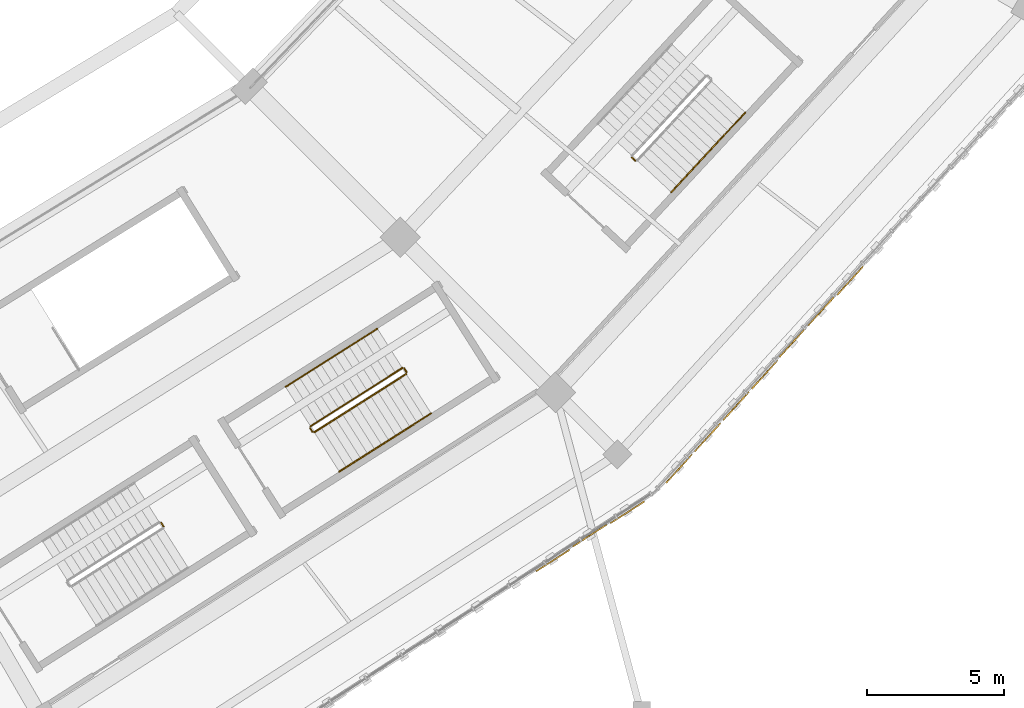
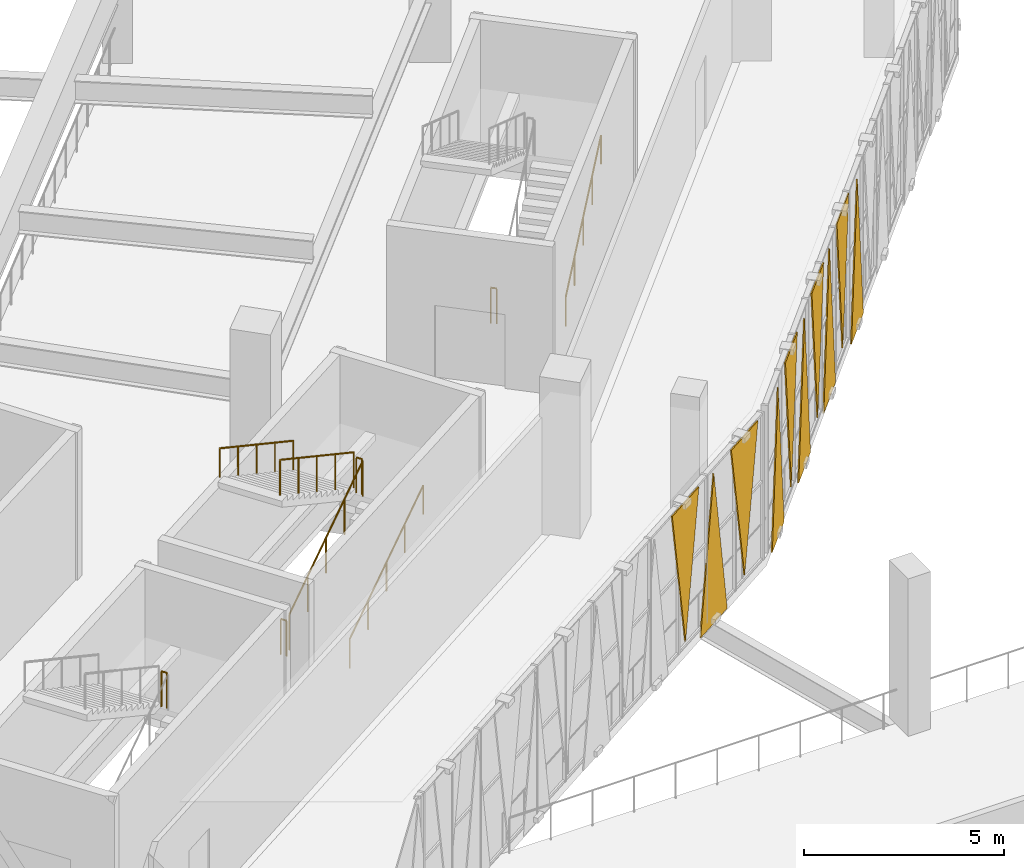
# One storey, part 146 of 179: 10 coverings, 9 railings.
"""IFC4 building model written with IfcOpenShell, lengths in metres."""

from ifc_helpers import new_model, si_unit, direction, frame, origin, origin_2d, place, context, subcontext, project, spatial, polyline, circle, outline, extrude, material, layer, layer_set, type_object, element, save


model = new_model("IFC4")

# Units and contexts
model_context = context("Model", 3, precision=1e-05, world=origin(), true_north=direction((0.0, 1.0)))
body_context = subcontext(model_context, "Body", "Model", "MODEL_VIEW")
ifc_project = project(units=[si_unit("LENGTHUNIT", "METRE"), si_unit("AREAUNIT", "SQUARE_METRE"), si_unit("VOLUMEUNIT", "CUBIC_METRE"), si_unit("PLANEANGLEUNIT", "RADIAN"), si_unit("MASSUNIT", "GRAM", prefix="KILO")], contexts=[model_context])

# Site, building, storey
site_placement = place(None, origin())
site = spatial("IfcSite", under=ifc_project, at=site_placement, CompositionType="ELEMENT")
building_placement = place(site_placement, origin())
building = spatial("IfcBuilding", under=site, at=building_placement, Name="Zevraka Park Crest Stadium", CompositionType="ELEMENT")
storey_placement = place(building_placement, frame((0.0, 0.0, 10.199951171875)))
storey = spatial("IfcBuildingStorey", under=building, at=storey_placement, Name="L02", CompositionType="ELEMENT", Elevation=10.199951171875)

# Coverings
ifc_material_1 = material(Name="Architectural golden-bronze perforated aluminium", Category="aluminium")
ifc_layer = layer(ifc_material_1, 0.034912109375)
ifc_layer_set = layer_set([ifc_layer], Name="Architectural golden-bronze perforated aluminium")
covering_type = type_object("IfcCoveringType", Name="CLD01", PredefinedType="CLADDING", material=ifc_layer_set)
covering_1_placement = place(storey_placement, frame((176.365966796875, 33.031982421875, 4.47998046875), z_axis=(-0.543285997868, 0.839547690294, 1.5567826e-05), x_axis=(-0.839547690396, -0.543285997934, 0.0)))
element("IfcCovering", 1, at=covering_1_placement, inside=storey, type_object=covering_type, Name="Triangular Golden-Bronze Perforated Cladding L02-20-12", PredefinedType="CLADDING", context=body_context, shape_type="SweptSolid", body=[
    extrude(outline(polyline([(0.0, 0.0), (1.457781335266565, 1.6940658945086007e-21), (0.7289931514822077, -4.260009766141223), (0.0, 0.0)])), origin(), (0.0, 0.0, -1.0), 0.034912109375),
])
covering_2_placement = place(storey_placement, frame((176.5009765625, 33.118896484375, -0.239990234375), z_axis=(0.543209619056, -0.839597111575, 0.0), x_axis=(0.839597111575, 0.543209619056, 0.0)))
element("IfcCovering", 2, at=covering_2_placement, inside=storey, type_object=covering_type, Name="Triangular Golden-Bronze Perforated Cladding L02-20-13", PredefinedType="CLADDING", context=body_context, shape_type="SweptSolid", body=[
    extrude(outline(polyline([(0.0, 0.0), (1.4579863089976983, 0.0), (0.7289931544988492, 4.56005859375), (0.0, 0.0)])), origin(), (0.0, 0.0, -1.0), 0.034912109375),
])
covering_3_placement = place(storey_placement, frame((179.083984375, 34.7900390625, 4.47998046875), z_axis=(-0.543285997868, 0.839547690294, 1.5567826e-05), x_axis=(-0.839547690396, -0.543285997934, 0.0)))
element("IfcCovering", 3, at=covering_3_placement, inside=storey, type_object=covering_type, Name="Triangular Golden-Bronze Perforated Cladding L02-20-14", PredefinedType="CLADDING", context=body_context, shape_type="SweptSolid", body=[
    extrude(outline(polyline([(0.0, 0.0), (1.457781335266565, 1.6940658945086007e-21), (0.7289931514822077, -4.260009766141223), (0.0, 0.0)])), origin(), (0.0, 0.0, -1.0), 0.034912109375),
])
covering_4_placement = place(storey_placement, frame((179.885986328125, 35.469970703125, -0.239990234375), z_axis=(-0.739525534257, 0.673128504866, 1.0909637e-05), x_axis=(0.673128504906, 0.739525534301, 0.0)))
element("IfcCovering", 4, at=covering_4_placement, inside=storey, type_object=covering_type, Name="Triangular Golden-Bronze Perforated Cladding L02-21-1", PredefinedType="CLADDING", context=body_context, shape_type="SweptSolid", body=[
    extrude(outline(polyline([(0.0, 0.0), (1.386221890693398, 0.0), (0.6923308987535437, -4.5600585940213705), (0.0, 0.0)])), origin(), (0.0, 0.0, -1.0), 0.034912109375),
])
covering_5_placement = place(storey_placement, frame((181.860107421875, 37.637939453125, 4.47998046875), z_axis=(-0.739095042994, 0.673601151618, 7.7207995e-05), x_axis=(-0.673601153626, -0.739095045196, 0.0)))
element("IfcCovering", 5, at=covering_5_placement, inside=storey, type_object=covering_type, Name="Triangular Golden-Bronze Perforated Cladding L02-21-2", PredefinedType="CLADDING", context=body_context, shape_type="SweptSolid", body=[
    extrude(outline(polyline([(0.0, 0.0), (1.3866989779070185, 0.0), (0.6929886027009718, -4.260009778322117), (0.0, 0.0)])), origin(), (0.0, 0.0, -1.0), 0.034912109375),
])
covering_6_placement = place(storey_placement, frame((181.967041015625, 37.757080078125, -0.239990234375), z_axis=(-0.739533396825, 0.67311984499, 0.000171060776), x_axis=(0.673119854838, 0.739533407645, 0.0)))
element("IfcCovering", 6, at=covering_6_placement, inside=storey, type_object=covering_type, Name="Triangular Golden-Bronze Perforated Cladding L02-21-3", PredefinedType="CLADDING", context=body_context, shape_type="SweptSolid", body=[
    extrude(outline(polyline([(0.0, 0.0), (1.3858770045481603, 0.0), (0.6929882417325289, -4.560058660467738), (0.0, 0.0)])), origin(), (0.0, 0.0, -1.0), 0.034912109375),
])
covering_7_placement = place(storey_placement, frame((183.94091796875, 39.925048828125, 4.47998046875), z_axis=(-0.739613209913, 0.673032168392, 5.723627e-06), x_axis=(-0.673032168403, -0.739613209925, 0.0)))
element("IfcCovering", 7, at=covering_7_placement, inside=storey, type_object=covering_type, Name="Triangular Golden-Bronze Perforated Cladding L02-21-4", PredefinedType="CLADDING", context=body_context, shape_type="SweptSolid", body=[
    extrude(outline(polyline([(0.0, 0.0), (1.386057564438635, 0.0), (0.69354610840767, -4.260009765694779), (0.0, 0.0)])), origin(), (0.0, 0.0, -1.0), 0.034912109375),
])
covering_8_placement = place(storey_placement, frame((184.049072265625, 40.04296875, -0.239990234375), z_axis=(0.739613201263, -0.67303216052, 0.000153045361), x_axis=(0.673032168403, 0.739613209925, 0.0)))
element("IfcCovering", 8, at=covering_8_placement, inside=storey, type_object=covering_type, Name="Triangular Golden-Bronze Perforated Cladding L02-21-5", PredefinedType="CLADDING", context=body_context, shape_type="SweptSolid", body=[
    extrude(outline(polyline([(0.0, 0.0), (1.386057564438635, -1.3552527156068805e-20), (0.6928888504307142, 4.56005864715486), (0.0, 0.0)])), origin(), (0.0, 0.0, -1.0), 0.034912109375),
])
covering_9_placement = place(storey_placement, frame((186.02197265625, 42.2119140625, 4.47998046875), z_axis=(0.739533400322, -0.673119848173, 0.000140726678), x_axis=(-0.673119854838, -0.739533407645, 0.0)))
element("IfcCovering", 9, at=covering_9_placement, inside=storey, type_object=covering_type, Name="Triangular Golden-Bronze Perforated Cladding L02-21-6", PredefinedType="CLADDING", context=body_context, shape_type="SweptSolid", body=[
    extrude(outline(polyline([(0.0, 0.0), (1.3858770045481608, 1.3552527156068805e-20), (0.6930530987176917, 4.260009807807614), (0.0, 0.0)])), origin(), (0.0, 0.0, -1.0), 0.034912109375),
])
covering_10_placement = place(storey_placement, frame((186.1298828125, 42.330078125, -0.239990234375), z_axis=(-0.739445710181, 0.673216175396, 0.000151264791), x_axis=(0.673216183098, 0.73944571864, 0.0)))
element("IfcCovering", 10, at=covering_10_placement, inside=storey, type_object=covering_type, Name="Triangular Golden-Bronze Perforated Cladding L02-21-7", PredefinedType="CLADDING", context=body_context, shape_type="SweptSolid", body=[
    extrude(outline(polyline([(0.0, 0.0), (1.3860413522097383, 0.0), (0.6929883374644674, -4.560058645919435), (0.0, 0.0)])), origin(), (0.0, 0.0, -1.0), 0.034912109375),
])

# Railings
ifc_material_2 = material(Name="Powder-coated tubular steel stairwell guard", Category="steel")
railing_type_1 = type_object("IfcRailingType", Name="GR03", PredefinedType="GUARDRAIL", material=ifc_material_2)
railing_1_placement = place(storey_placement, frame((161.557861328125, 33.8681640625, 2.400146484375)))
element("IfcRailing", 11, at=railing_1_placement, inside=storey, type_object=railing_type_1, Name="L02 ST21 stair guard 2", PredefinedType="GUARDRAIL", context=body_context, shape_type="SweptSolid", body=[
    extrude(circle(Radius=0.02392578125, at=origin_2d()), frame((0.0, 0.0, 1.076171875), z_axis=(-0.535887230789, 0.844289568736, 0.0), x_axis=(-0.844289568736, -0.535887230789, 0.0)), (0.0, 0.0, 1.0), 0.159912109375),
    extrude(circle(Radius=0.02099609375, at=origin_2d()), origin(), (0.0, 0.0, 1.0), 1.052001953125),
    extrude(circle(Radius=0.02099609375, at=origin_2d()), frame((-0.085693359375, 0.135009765625, 0.0)), (0.0, 0.0, 1.0), 1.052001953125),
])
railing_2_placement = place(storey_placement, frame((178.76416015625, 47.210205078125, 0.0)))
element("IfcRailing", 12, at=railing_2_placement, inside=storey, type_object=railing_type_1, Name="L02 ST22 stair guard 4", PredefinedType="GUARDRAIL", context=body_context, shape_type="SweptSolid", body=[
    extrude(circle(Radius=0.02392578125, at=origin_2d()), frame((0.0, 0.0, 1.076171875), z_axis=(-0.732576022975, 0.680685221348, 0.0), x_axis=(-0.680685221348, -0.732576022975, 0.0)), (0.0, 0.0, 1.0), 0.159912109375),
    extrude(circle(Radius=0.02099609375, at=origin_2d()), origin(), (0.0, 0.0, 1.0), 1.052001953125),
    extrude(circle(Radius=0.02099609375, at=origin_2d()), frame((-0.1171875, 0.10888671875, 0.0)), (0.0, 0.0, 1.0), 1.052001953125),
])
railing_3_placement = place(storey_placement, frame((167.060546875, 37.300048828125, 0.17138671875)))
element("IfcRailing", 13, at=railing_3_placement, inside=storey, type_object=railing_type_1, Name="L02 ST32 stair guard 1", PredefinedType="GUARDRAIL", context=body_context, shape_type="SweptSolid", body=[
    extrude(circle(Radius=0.02392578125, at=origin_2d()), frame((0.0, 0.0, 1.076171875), z_axis=(0.7360728576, 0.466989999352, 0.490017437251), x_axis=(-0.535715535947, 0.844398522349, 0.0)), (0.0, 0.0, 1.0), 4.54833984375),
    extrude(circle(Radius=0.02099609375, at=origin_2d()), origin(), (0.0, 0.0, 1.0), 1.052001953125),
    extrude(circle(Radius=0.02099609375, at=origin_2d()), frame((0.8369140625, 0.531005859375, 0.55712890625)), (0.0, 0.0, 1.0), 1.052001953125),
    extrude(circle(Radius=0.02099609375, at=origin_2d()), frame((1.673828125, 1.06201171875, 1.1142578125)), (0.0, 0.0, 1.0), 1.052001953125),
    extrude(circle(Radius=0.02099609375, at=origin_2d()), frame((2.510986328125, 1.593017578125, 1.671630859375)), (0.0, 0.0, 1.0), 1.052001953125),
    extrude(circle(Radius=0.02099609375, at=origin_2d()), frame((3.347900390625, 2.1240234375, 2.228759765625)), (0.0, 0.0, 1.0), 1.052001953125),
])
railing_4_placement = place(storey_placement, frame((170.424072265625, 39.4931640625, 2.400146484375)))
element("IfcRailing", 14, at=railing_4_placement, inside=storey, type_object=railing_type_1, Name="L02 ST32 stair guard 2", PredefinedType="GUARDRAIL", context=body_context, shape_type="SweptSolid", body=[
    extrude(circle(Radius=0.02392578125, at=origin_2d()), frame((0.0, 0.0, 1.076171875), z_axis=(-0.536974197011, 0.843598667463, 0.0), x_axis=(-0.843598667463, -0.536974197011, 0.0)), (0.0, 0.0, 1.0), 0.16015625),
    extrude(circle(Radius=0.02099609375, at=origin_2d()), origin(), (0.0, 0.0, 1.0), 1.052001953125),
    extrude(circle(Radius=0.02099609375, at=origin_2d()), frame((-0.0859375, 0.135009765625, 0.0)), (0.0, 0.0, 1.0), 1.052001953125),
])
railing_5_placement = place(storey_placement, frame((170.269287109375, 39.6435546875, 2.571533203125)))
element("IfcRailing", 15, at=railing_5_placement, inside=storey, type_object=railing_type_1, Name="L02 ST32 stair guard 3", PredefinedType="GUARDRAIL", context=body_context, shape_type="SweptSolid", body=[
    extrude(circle(Radius=0.02392578125, at=origin_2d()), frame((0.0, 0.0, 1.076171875), z_axis=(-0.736116810277, -0.466983830349, 0.48995728775), x_axis=(0.535687682518, -0.84441619288, 0.0)), (0.0, 0.0, 1.0), 4.54833984375),
    extrude(circle(Radius=0.02099609375, at=origin_2d()), origin(), (0.0, 0.0, 1.0), 1.052001953125),
    extrude(circle(Radius=0.02099609375, at=origin_2d()), frame((-0.8369140625, -0.531005859375, 0.55712890625)), (0.0, 0.0, 1.0), 1.052001953125),
    extrude(circle(Radius=0.02099609375, at=origin_2d()), frame((-1.674072265625, -1.06201171875, 1.1142578125)), (0.0, 0.0, 1.0), 1.052001953125),
    extrude(circle(Radius=0.02099609375, at=origin_2d()), frame((-2.51123046875, -1.593017578125, 1.67138671875)), (0.0, 0.0, 1.0), 1.052001953125),
    extrude(circle(Radius=0.02099609375, at=origin_2d()), frame((-3.34814453125, -2.1240234375, 2.228515625)), (0.0, 0.0, 1.0), 1.052001953125),
])
railing_6_placement = place(storey_placement, frame((166.991455078125, 37.3154296875, 0.0)))
element("IfcRailing", 16, at=railing_6_placement, inside=storey, type_object=railing_type_1, Name="L02 ST32 stair guard 4", PredefinedType="GUARDRAIL", context=body_context, shape_type="SweptSolid", body=[
    extrude(circle(Radius=0.02392578125, at=origin_2d()), frame((0.0, 0.0, 1.076171875), z_axis=(-0.535887230789, 0.844289568736, 0.0), x_axis=(-0.844289568736, -0.535887230789, 0.0)), (0.0, 0.0, 1.0), 0.159912109375),
    extrude(circle(Radius=0.02099609375, at=origin_2d()), origin(), (0.0, 0.0, 1.0), 1.052001953125),
    extrude(circle(Radius=0.02099609375, at=origin_2d()), frame((-0.085693359375, 0.135009765625, 0.0)), (0.0, 0.0, 1.0), 1.052001953125),
])
ifc_material_3 = material(Name="Brushed stainless steel continuous handrail", Category="steel")
railing_type_2 = type_object("IfcRailingType", Name="HR01", PredefinedType="HANDRAIL", material=ifc_material_3)
railing_7_placement = place(storey_placement, frame((180.0810546875, 46.056396484375, 0.17138671875)))
element("IfcRailing", 17, at=railing_7_placement, inside=storey, type_object=railing_type_2, Name="L02 ST22 stair handrail 1", PredefinedType="HANDRAIL", context=body_context, shape_type="SweptSolid", body=[
    extrude(circle(Radius=0.02392578125, at=origin_2d()), frame((0.0, 0.0, 0.8759765625), z_axis=(0.593000427987, 0.638946152675, 0.489998271822), x_axis=(-0.732968909084, 0.680262139412, 0.0)), (0.0, 0.0, 1.0), 4.548583984375),
    extrude(circle(Radius=0.02099609375, at=origin_2d()), origin(), (0.0, 0.0, 1.0), 0.851806640625),
    extrude(circle(Radius=0.02099609375, at=origin_2d()), frame((0.67431640625, 0.7265625, 0.55712890625)), (0.0, 0.0, 1.0), 0.851806640625),
    extrude(circle(Radius=0.02099609375, at=origin_2d()), frame((1.3486328125, 1.453125, 1.1142578125)), (0.0, 0.0, 1.0), 0.851806640625),
    extrude(circle(Radius=0.02099609375, at=origin_2d()), frame((2.02294921875, 2.1796875, 1.671630859375)), (0.0, 0.0, 1.0), 0.851806640625),
    extrude(circle(Radius=0.02099609375, at=origin_2d()), frame((2.697265625, 2.90625, 2.228759765625)), (0.0, 0.0, 1.0), 0.851806640625),
])
railing_8_placement = place(storey_placement, frame((167.97119140625, 35.864501953125, 0.17138671875)))
element("IfcRailing", 18, at=railing_8_placement, inside=storey, type_object=railing_type_2, Name="L02 ST32 stair handrail 1", PredefinedType="HANDRAIL", context=body_context, shape_type="SweptSolid", body=[
    extrude(circle(Radius=0.02392578125, at=origin_2d()), frame((0.0, 0.0, 0.8759765625), z_axis=(0.736097450774, 0.466971548909, 0.48999807701), x_axis=(-0.535687682518, 0.84441619288, 0.0)), (0.0, 0.0, 1.0), 4.548583984375),
    extrude(circle(Radius=0.02099609375, at=origin_2d()), origin(), (0.0, 0.0, 1.0), 0.851806640625),
    extrude(circle(Radius=0.02099609375, at=origin_2d()), frame((0.8369140625, 0.531005859375, 0.55712890625)), (0.0, 0.0, 1.0), 0.851806640625),
    extrude(circle(Radius=0.02099609375, at=origin_2d()), frame((1.674072265625, 1.06201171875, 1.1142578125)), (0.0, 0.0, 1.0), 0.851806640625),
    extrude(circle(Radius=0.02099609375, at=origin_2d()), frame((2.51123046875, 1.593017578125, 1.671630859375)), (0.0, 0.0, 1.0), 0.851806640625),
    extrude(circle(Radius=0.02099609375, at=origin_2d()), frame((3.34814453125, 2.1240234375, 2.228759765625)), (0.0, 0.0, 1.0), 0.851806640625),
])
railing_9_placement = place(storey_placement, frame((169.3583984375, 41.0791015625, 2.571533203125)))
element("IfcRailing", 19, at=railing_9_placement, inside=storey, type_object=railing_type_2, Name="L02 ST32 stair handrail 2", PredefinedType="HANDRAIL", context=body_context, shape_type="SweptSolid", body=[
    extrude(circle(Radius=0.02392578125, at=origin_2d()), frame((0.0, 0.0, 0.8759765625), z_axis=(-0.736092217986, -0.467002282249, 0.489976647398), x_axis=(0.535715535947, -0.844398522349, 0.0)), (0.0, 0.0, 1.0), 4.548095703125),
    extrude(circle(Radius=0.02099609375, at=origin_2d()), origin(), (0.0, 0.0, 1.0), 0.851806640625),
    extrude(circle(Radius=0.02099609375, at=origin_2d()), frame((-0.8369140625, -0.531005859375, 0.55712890625)), (0.0, 0.0, 1.0), 0.851806640625),
    extrude(circle(Radius=0.02099609375, at=origin_2d()), frame((-1.673828125, -1.06201171875, 1.1142578125)), (0.0, 0.0, 1.0), 0.851806640625),
    extrude(circle(Radius=0.02099609375, at=origin_2d()), frame((-2.510986328125, -1.593017578125, 1.67138671875)), (0.0, 0.0, 1.0), 0.851806640625),
    extrude(circle(Radius=0.02099609375, at=origin_2d()), frame((-3.347900390625, -2.1240234375, 2.228515625)), (0.0, 0.0, 1.0), 0.851806640625),
])

save(model, "model.ifc")
